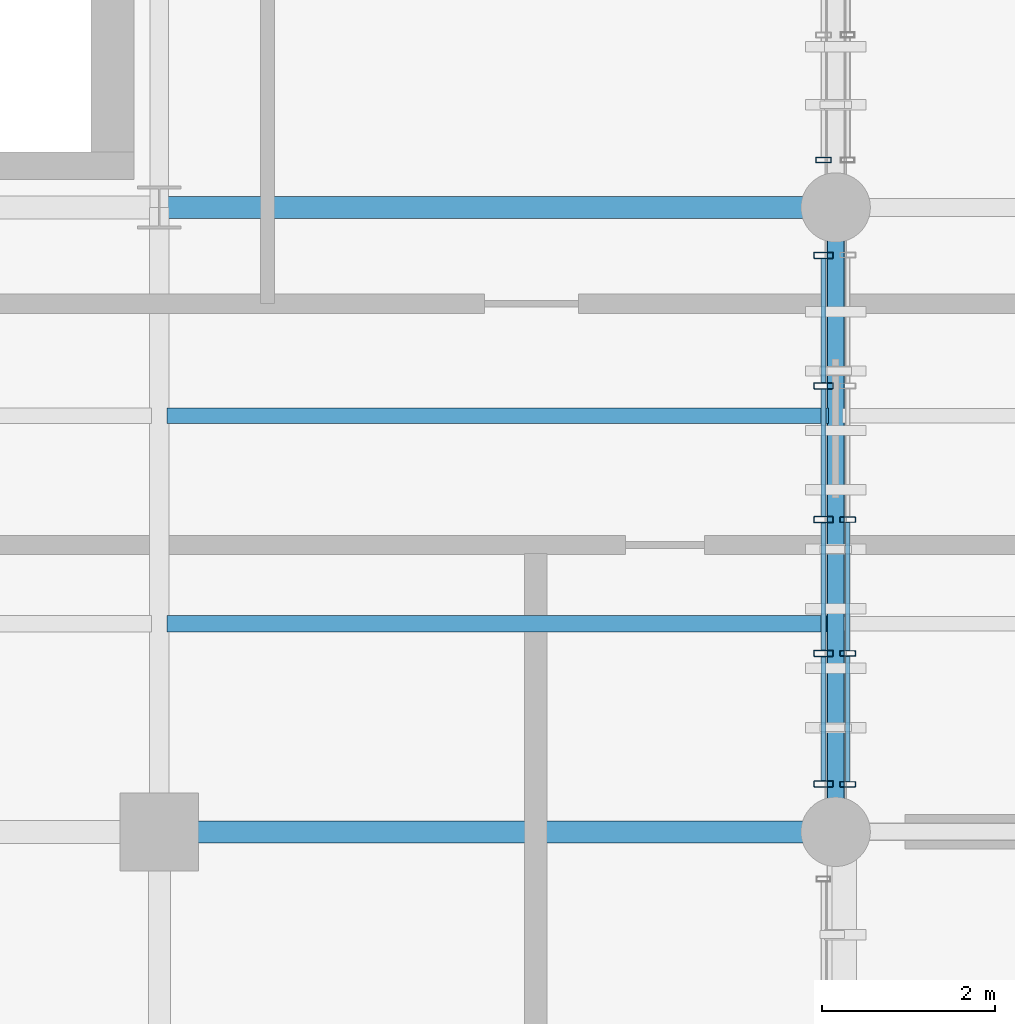
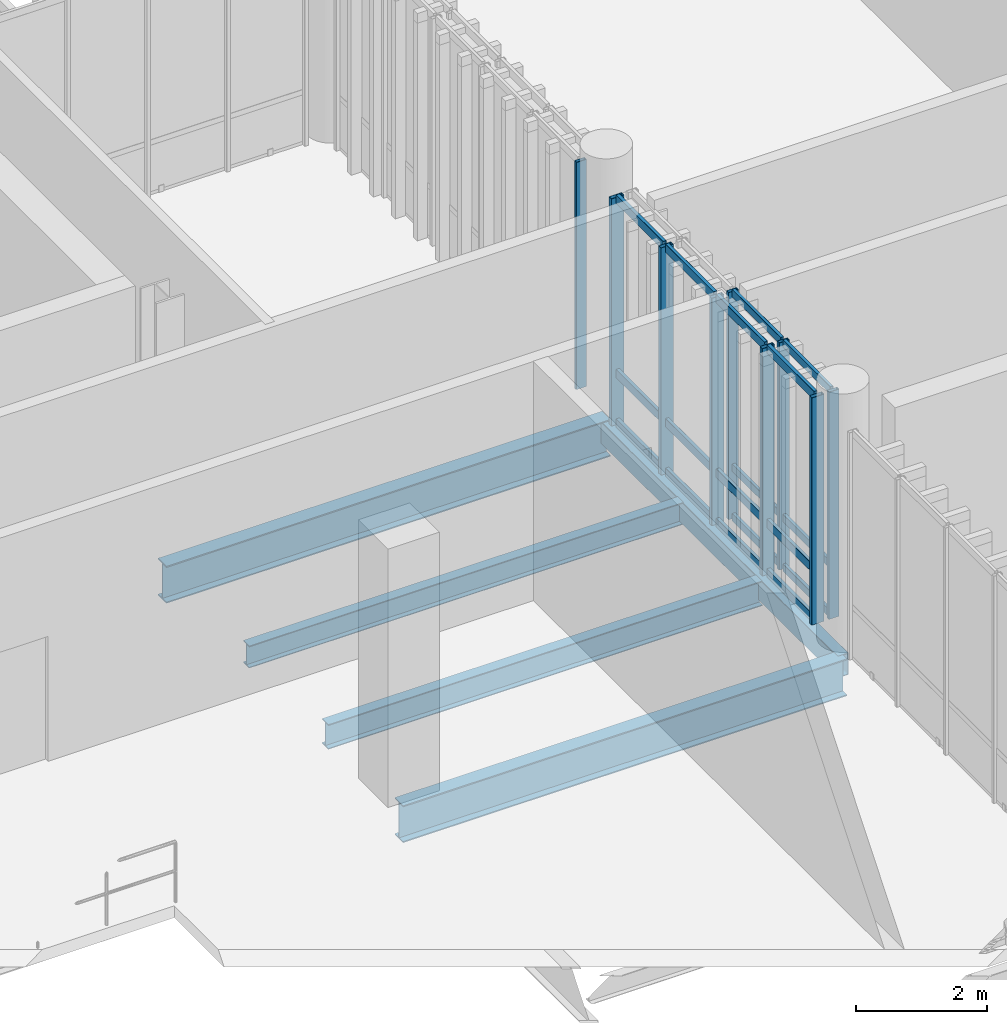
# One storey, part 34 of 109: 27 members, 5 beams, 3 elements without a shape of their own.
"""IFC4 building model written with IfcOpenShell, lengths in metres."""

from ifc_helpers import new_model, si_unit, direction, frame, origin_with_axes, origin_2d_with_axis, place, context, subcontext, project, spatial, hollow_rectangle, i_section, extrude, material, material_profile, profile_set, type_object, element, aggregate, save


model = new_model("IFC4")

# Units and contexts
model_context = context("Model", 3, precision=1e-05, world=origin_with_axes(), true_north=direction((0.0, 1.0)))
body_context = subcontext(model_context, "Body", "Model", "MODEL_VIEW")
ifc_project = project(units=[si_unit("LENGTHUNIT", "METRE"), si_unit("AREAUNIT", "SQUARE_METRE"), si_unit("VOLUMEUNIT", "CUBIC_METRE"), si_unit("PLANEANGLEUNIT", "RADIAN"), si_unit("MASSUNIT", "GRAM", prefix="KILO"), si_unit("THERMODYNAMICTEMPERATUREUNIT", "KELVIN")], contexts=[model_context])

# Site, building, storey
site_placement = place(None, origin_with_axes())
site = spatial("IfcSite", under=ifc_project, at=site_placement, CompositionType="ELEMENT")
building_placement = place(site_placement, origin_with_axes())
building = spatial("IfcBuilding", under=site, at=building_placement, Name="Montbau Bow Law Courts", CompositionType="ELEMENT")
storey_placement = place(building_placement, frame((0.0, 0.0, 10.8), z_axis=(0.0, 0.0, 1.0), x_axis=(1.0, 0.0, 0.0)))
storey = spatial("IfcBuildingStorey", under=building, at=storey_placement, Name="L02", CompositionType="ELEMENT", Elevation=10.8)

# Beams
ifc_material_1 = material(Name="Steel CSA G40.21 Grade 350W (350 MPa)", Category="steel")
ifc_material_profile_1 = material_profile(ifc_material_1, i_section(OverallWidth=0.254, OverallDepth=0.688, WebThickness=0.0131, FlangeThickness=0.0211, at=origin_2d_with_axis()), Name="W690X152", Category="Main", Priority=0)
ifc_profile_set_1 = profile_set([ifc_material_profile_1], Name="Steel CSA G40.21 Grade 350W (350 MPa)")
beam_type_1 = type_object("IfcBeamType", Name="B-FLR-04", PredefinedType="BEAM", material=ifc_profile_set_1)
for number, where, z_axis, x_axis, name in (
    (1, (39.0, 39.0, 10.136), (1.0, 0.0, 0.0), (0.0, 1.0, 0.0), "BM-L02-S0555:bm2_0558"),
    (2, (39.0, 46.2, 10.216), (1.0, 0.0, 0.0), (0.0, 1.0, 0.0), "BM-L02-S0560:bm2_0563"),
):
    element("IfcBeam", number, at=place(None, frame(where, z_axis=z_axis, x_axis=x_axis)), inside=storey, type_object=beam_type_1, Name=name, PredefinedType="BEAM", context=body_context, shape_type="SweptSolid", body=[
        extrude(i_section(OverallWidth=0.254, OverallDepth=0.688, WebThickness=0.0131, FlangeThickness=0.0211, at=origin_2d_with_axis()), origin_with_axes(), (0.0, 0.0, 1.0), 7.8),
    ])
ifc_material_profile_2 = material_profile(ifc_material_1, i_section(OverallWidth=0.191, OverallDepth=0.46, WebThickness=0.0099, FlangeThickness=0.016, at=origin_2d_with_axis()), Name="W460X82", Category="Main", Priority=0)
ifc_profile_set_2 = profile_set([ifc_material_profile_2], Name="Steel CSA G40.21 Grade 350W (350 MPa)")
beam_type_2 = type_object("IfcBeamType", Name="B-JST-01", PredefinedType="JOIST", material=ifc_profile_set_2)
beam_1_placement = place(None, frame((39.09, 41.4, 10.25), z_axis=(1.0, 0.0, 0.0), x_axis=(0.0, 1.0, 0.0)))
element("IfcBeam", 3, at=beam_1_placement, inside=storey, type_object=beam_type_2, Name="JST-L02-S0280:jst2_0280", PredefinedType="JOIST", context=body_context, shape_type="SweptSolid", body=[
    extrude(i_section(OverallWidth=0.191, OverallDepth=0.46, WebThickness=0.0099, FlangeThickness=0.016, at=origin_2d_with_axis()), origin_with_axes(), (0.0, 0.0, 1.0), 7.63),
])
ifc_material_profile_3 = material_profile(ifc_material_1, i_section(OverallWidth=0.179, OverallDepth=0.41, WebThickness=0.0088, FlangeThickness=0.0144, at=origin_2d_with_axis()), Name="W410X67", Category="Main", Priority=0)
ifc_profile_set_3 = profile_set([ifc_material_profile_3], Name="Steel CSA G40.21 Grade 350W (350 MPa)")
beam_type_3 = type_object("IfcBeamType", Name="B-JST-02", PredefinedType="JOIST", material=ifc_profile_set_3)
beam_2_placement = place(None, frame((39.09, 43.8, 10.275), z_axis=(1.0, 0.0, 0.0), x_axis=(0.0, 1.0, 0.0)))
element("IfcBeam", 4, at=beam_2_placement, inside=storey, type_object=beam_type_3, Name="JST-L02-S0281:jst2_0281", PredefinedType="JOIST", context=body_context, shape_type="SweptSolid", body=[
    extrude(i_section(OverallWidth=0.179, OverallDepth=0.41, WebThickness=0.0088, FlangeThickness=0.0144, at=origin_2d_with_axis()), origin_with_axes(), (0.0, 0.0, 1.0), 7.63),
])
ifc_material_2 = material(Name="Steel CSA G40.21 Grade 350WT (350 MPa)", Category="steel")
ifc_material_profile_4 = material_profile(ifc_material_2, hollow_rectangle(XDim=0.203, YDim=0.406, WallThickness=0.0127, InnerFilletRadius=0.0254, OuterFilletRadius=0.0127, at=origin_2d_with_axis()), Name="HSS406X203X13", Category="Main", Priority=0)
ifc_profile_set_4 = profile_set([ifc_material_profile_4], Name="Steel CSA G40.21 Grade 350WT (350 MPa)")
beam_type_4 = type_object("IfcBeamType", Name="B-SPN-01", PredefinedType="SPANDREL", material=ifc_profile_set_4)
beam_3_placement = place(None, frame((46.8, 39.0, 10.277), z_axis=(0.0, 1.0, 0.0), x_axis=(-1.0, 0.0, 0.0)))
element("IfcBeam", 5, at=beam_3_placement, inside=storey, type_object=beam_type_4, Name="SPN-L02-S0579:bm2_0582", PredefinedType="SPANDREL", context=body_context, shape_type="SweptSolid", body=[
    extrude(hollow_rectangle(XDim=0.203, YDim=0.406, WallThickness=0.0127, InnerFilletRadius=0.0254, OuterFilletRadius=0.0127, at=origin_2d_with_axis()), origin_with_axes(), (0.0, 0.0, 1.0), 7.2),
])

# Curtain wall, members
ifc_material_3 = material(Name="Thermally Broken Extruded Aluminium AA 6063-T6", Category="aluminium")
curtain_wall_type_1 = type_object("IfcCurtainWallType", Name="CW-TRC-01", PredefinedType="NOTDEFINED", material=ifc_material_3)
curtain_wall_1_placement = place(None, frame((46.66, 39.515, 10.8), z_axis=(0.0, 0.0, 1.0), x_axis=(1.0, 0.0, 0.0)))
curtain_wall_1 = element("IfcCurtainWall", 6, at=curtain_wall_1_placement, inside=storey, type_object=curtain_wall_type_1, Name="CW-L02-048:cw_0048", PredefinedType="NOTDEFINED")
ifc_material_profile_5 = material_profile(ifc_material_3, hollow_rectangle(XDim=0.075, YDim=0.22, WallThickness=0.005, InnerFilletRadius=0.01, OuterFilletRadius=0.005, at=origin_2d_with_axis()), Name="CWM-220X75", Category="Main", Priority=0)
ifc_profile_set_5 = profile_set([ifc_material_profile_5], Name="Thermally Broken Extruded Aluminium AA 6063-T6")
member_type_1 = type_object("IfcMemberType", Name="M-MUL-01", PredefinedType="MULLION", material=ifc_profile_set_5)
member_1_placement = place(None, frame((46.66, 39.552, 10.8), z_axis=(0.0, 0.0, 1.0), x_axis=(0.0, 1.0, 0.0)))
member_1 = element("IfcMember", 7, at=member_1_placement, type_object=member_type_1, Name="CW-L02-048-M01:cw_0048_M01", PredefinedType="MULLION", context=body_context, shape_type="SweptSolid", body=[
    extrude(hollow_rectangle(XDim=0.075, YDim=0.22, WallThickness=0.005, InnerFilletRadius=0.01, OuterFilletRadius=0.005, at=origin_2d_with_axis()), origin_with_axes(), (0.0, 0.0, 1.0), 4.22),
])
member_2_placement = place(None, frame((46.66, 41.058, 10.8), z_axis=(0.0, 0.0, 1.0), x_axis=(0.0, 1.0, 0.0)))
member_2 = element("IfcMember", 8, at=member_2_placement, type_object=member_type_1, Name="CW-L02-048-M02:cw_0048_M02", PredefinedType="MULLION", context=body_context, shape_type="SweptSolid", body=[
    extrude(hollow_rectangle(XDim=0.075, YDim=0.22, WallThickness=0.005, InnerFilletRadius=0.01, OuterFilletRadius=0.005, at=origin_2d_with_axis()), origin_with_axes(), (0.0, 0.0, 1.0), 4.22),
])
member_3_placement = place(None, frame((46.66, 42.6, 10.8), z_axis=(0.0, 0.0, 1.0), x_axis=(0.0, 1.0, 0.0)))
member_3 = element("IfcMember", 9, at=member_3_placement, type_object=member_type_1, Name="CW-L02-048-M03:cw_0048_M03", PredefinedType="MULLION", context=body_context, shape_type="SweptSolid", body=[
    extrude(hollow_rectangle(XDim=0.075, YDim=0.22, WallThickness=0.005, InnerFilletRadius=0.01, OuterFilletRadius=0.005, at=origin_2d_with_axis()), origin_with_axes(), (0.0, 0.0, 1.0), 4.22),
])
member_4_placement = place(None, frame((46.66, 44.143, 10.8), z_axis=(0.0, 0.0, 1.0), x_axis=(0.0, 1.0, 0.0)))
member_4 = element("IfcMember", 10, at=member_4_placement, type_object=member_type_1, Name="CW-L02-048-M04:cw_0048_M04", PredefinedType="MULLION", context=body_context, shape_type="SweptSolid", body=[
    extrude(hollow_rectangle(XDim=0.075, YDim=0.22, WallThickness=0.005, InnerFilletRadius=0.01, OuterFilletRadius=0.005, at=origin_2d_with_axis()), origin_with_axes(), (0.0, 0.0, 1.0), 4.22),
])
member_5_placement = place(None, frame((46.66, 45.648, 10.8), z_axis=(0.0, 0.0, 1.0), x_axis=(0.0, 1.0, 0.0)))
member_5 = element("IfcMember", 11, at=member_5_placement, type_object=member_type_1, Name="CW-L02-048-M05:cw_0048_M05", PredefinedType="MULLION", context=body_context, shape_type="SweptSolid", body=[
    extrude(hollow_rectangle(XDim=0.075, YDim=0.22, WallThickness=0.005, InnerFilletRadius=0.01, OuterFilletRadius=0.005, at=origin_2d_with_axis()), origin_with_axes(), (0.0, 0.0, 1.0), 4.22),
])

# Curtain wall, member
curtain_wall_2_placement = place(None, frame((46.66, 46.715, 10.8), z_axis=(0.0, 0.0, 1.0), x_axis=(1.0, 0.0, 0.0)))
curtain_wall_2 = element("IfcCurtainWall", 12, at=curtain_wall_2_placement, inside=storey, type_object=curtain_wall_type_1, Name="CW-L02-049:cw_0049", PredefinedType="NOTDEFINED")
ifc_material_profile_6 = material_profile(ifc_material_3, hollow_rectangle(XDim=0.065, YDim=0.18, WallThickness=0.005, InnerFilletRadius=0.01, OuterFilletRadius=0.005, at=origin_2d_with_axis()), Name="CWM-180X65", Category="Main", Priority=0)
ifc_profile_set_6 = profile_set([ifc_material_profile_6], Name="Thermally Broken Extruded Aluminium AA 6063-T6")
member_type_2 = type_object("IfcMemberType", Name="M-MUL-02", PredefinedType="MULLION", material=ifc_profile_set_6)
member_6_placement = place(None, frame((46.66, 46.748, 10.8), z_axis=(0.0, 0.0, 1.0), x_axis=(0.0, 1.0, 0.0)))
member_6 = element("IfcMember", 13, at=member_6_placement, type_object=member_type_2, Name="CW-L02-049-M01:cw_0049_M01", PredefinedType="MULLION", context=body_context, shape_type="SweptSolid", body=[
    extrude(hollow_rectangle(XDim=0.065, YDim=0.18, WallThickness=0.005, InnerFilletRadius=0.01, OuterFilletRadius=0.005, at=origin_2d_with_axis()), origin_with_axes(), (0.0, 0.0, 1.0), 4.22),
])
aggregate(curtain_wall_2, [member_6])

# Curtain wall, members
curtain_wall_type_2 = type_object("IfcCurtainWallType", Name="CW-CRM-01", PredefinedType="NOTDEFINED", material=ifc_material_3)
curtain_wall_3_placement = place(None, frame((46.94, 39.515, 10.8), z_axis=(0.0, 0.0, 1.0), x_axis=(1.0, 0.0, 0.0)))
curtain_wall_3 = element("IfcCurtainWall", 14, at=curtain_wall_3_placement, inside=storey, type_object=curtain_wall_type_2, Name="CW-L02-169:cw_0169", PredefinedType="NOTDEFINED")
member_7_placement = place(None, frame((46.94, 39.548, 10.8), z_axis=(0.0, 0.0, 1.0), x_axis=(0.0, 1.0, 0.0)))
member_7 = element("IfcMember", 15, at=member_7_placement, type_object=member_type_2, Name="CW-L02-169-M01:cw_0169_M01", PredefinedType="MULLION", context=body_context, shape_type="SweptSolid", body=[
    extrude(hollow_rectangle(XDim=0.065, YDim=0.18, WallThickness=0.005, InnerFilletRadius=0.01, OuterFilletRadius=0.005, at=origin_2d_with_axis()), origin_with_axes(), (0.0, 0.0, 1.0), 4.22),
])
member_8_placement = place(None, frame((46.94, 41.058, 10.8), z_axis=(0.0, 0.0, 1.0), x_axis=(0.0, 1.0, 0.0)))
member_8 = element("IfcMember", 16, at=member_8_placement, type_object=member_type_2, Name="CW-L02-169-M02:cw_0169_M02", PredefinedType="MULLION", context=body_context, shape_type="SweptSolid", body=[
    extrude(hollow_rectangle(XDim=0.065, YDim=0.18, WallThickness=0.005, InnerFilletRadius=0.01, OuterFilletRadius=0.005, at=origin_2d_with_axis()), origin_with_axes(), (0.0, 0.0, 1.0), 4.22),
])
member_9_placement = place(None, frame((46.94, 42.6, 10.8), z_axis=(0.0, 0.0, 1.0), x_axis=(0.0, 1.0, 0.0)))
member_9 = element("IfcMember", 17, at=member_9_placement, type_object=member_type_2, Name="CW-L02-169-M03:cw_0169_M03", PredefinedType="MULLION", context=body_context, shape_type="SweptSolid", body=[
    extrude(hollow_rectangle(XDim=0.065, YDim=0.18, WallThickness=0.005, InnerFilletRadius=0.01, OuterFilletRadius=0.005, at=origin_2d_with_axis()), origin_with_axes(), (0.0, 0.0, 1.0), 4.22),
])

# Member
ifc_material_profile_7 = material_profile(ifc_material_3, hollow_rectangle(XDim=0.06, YDim=0.16, WallThickness=0.004, InnerFilletRadius=0.008, OuterFilletRadius=0.004, at=origin_2d_with_axis()), Name="CWT-160X60", Category="Main", Priority=0)
ifc_profile_set_7 = profile_set([ifc_material_profile_7], Name="Thermally Broken Extruded Aluminium AA 6063-T6")
member_type_3 = type_object("IfcMemberType", Name="M-TRN-01", PredefinedType="USERDEFINED", material=ifc_profile_set_7)
member_10_placement = place(None, frame((46.66, 39.591, 10.83), z_axis=(0.0, 1.0, 0.0), x_axis=(-1.0, 0.0, 0.0)))
member_10 = element("IfcMember", 18, at=member_10_placement, type_object=member_type_3, Name="CW-L02-048-T01-1:cw_0048_T01_1", ObjectType="TRANSOM", PredefinedType="USERDEFINED", context=body_context, shape_type="SweptSolid", body=[
    extrude(hollow_rectangle(XDim=0.06, YDim=0.16, WallThickness=0.004, InnerFilletRadius=0.008, OuterFilletRadius=0.004, at=origin_2d_with_axis()), origin_with_axes(), (0.0, 0.0, 1.0), 1.427),
])

member_11_placement = place(None, frame((46.66, 39.591, 11.75), z_axis=(0.0, 1.0, 0.0), x_axis=(-1.0, 0.0, 0.0)))
member_11 = element("IfcMember", 19, at=member_11_placement, type_object=member_type_3, Name="CW-L02-048-T01-2:cw_0048_T01_2", ObjectType="TRANSOM", PredefinedType="USERDEFINED", context=body_context, shape_type="SweptSolid", body=[
    extrude(hollow_rectangle(XDim=0.06, YDim=0.16, WallThickness=0.004, InnerFilletRadius=0.008, OuterFilletRadius=0.004, at=origin_2d_with_axis()), origin_with_axes(), (0.0, 0.0, 1.0), 1.427),
])

member_12_placement = place(None, frame((46.66, 39.591, 14.99), z_axis=(0.0, 1.0, 0.0), x_axis=(-1.0, 0.0, 0.0)))
member_12 = element("IfcMember", 20, at=member_12_placement, type_object=member_type_3, Name="CW-L02-048-T01-3:cw_0048_T01_3", ObjectType="TRANSOM", PredefinedType="USERDEFINED", context=body_context, shape_type="SweptSolid", body=[
    extrude(hollow_rectangle(XDim=0.06, YDim=0.16, WallThickness=0.004, InnerFilletRadius=0.008, OuterFilletRadius=0.004, at=origin_2d_with_axis()), origin_with_axes(), (0.0, 0.0, 1.0), 1.427),
])

member_13_placement = place(None, frame((46.66, 41.098, 10.83), z_axis=(0.0, 1.0, 0.0), x_axis=(-1.0, 0.0, 0.0)))
member_13 = element("IfcMember", 21, at=member_13_placement, type_object=member_type_3, Name="CW-L02-048-T02-1:cw_0048_T02_1", ObjectType="TRANSOM", PredefinedType="USERDEFINED", context=body_context, shape_type="SweptSolid", body=[
    extrude(hollow_rectangle(XDim=0.06, YDim=0.16, WallThickness=0.004, InnerFilletRadius=0.008, OuterFilletRadius=0.004, at=origin_2d_with_axis()), origin_with_axes(), (0.0, 0.0, 1.0), 1.463),
])

member_14_placement = place(None, frame((46.66, 41.098, 11.75), z_axis=(0.0, 1.0, 0.0), x_axis=(-1.0, 0.0, 0.0)))
member_14 = element("IfcMember", 22, at=member_14_placement, type_object=member_type_3, Name="CW-L02-048-T02-2:cw_0048_T02_2", ObjectType="TRANSOM", PredefinedType="USERDEFINED", context=body_context, shape_type="SweptSolid", body=[
    extrude(hollow_rectangle(XDim=0.06, YDim=0.16, WallThickness=0.004, InnerFilletRadius=0.008, OuterFilletRadius=0.004, at=origin_2d_with_axis()), origin_with_axes(), (0.0, 0.0, 1.0), 1.463),
])

member_15_placement = place(None, frame((46.66, 41.098, 14.99), z_axis=(0.0, 1.0, 0.0), x_axis=(-1.0, 0.0, 0.0)))
member_15 = element("IfcMember", 23, at=member_15_placement, type_object=member_type_3, Name="CW-L02-048-T02-3:cw_0048_T02_3", ObjectType="TRANSOM", PredefinedType="USERDEFINED", context=body_context, shape_type="SweptSolid", body=[
    extrude(hollow_rectangle(XDim=0.06, YDim=0.16, WallThickness=0.004, InnerFilletRadius=0.008, OuterFilletRadius=0.004, at=origin_2d_with_axis()), origin_with_axes(), (0.0, 0.0, 1.0), 1.463),
])

member_16_placement = place(None, frame((46.66, 42.639, 10.83), z_axis=(0.0, 1.0, 0.0), x_axis=(-1.0, 0.0, 0.0)))
member_16 = element("IfcMember", 24, at=member_16_placement, type_object=member_type_3, Name="CW-L02-048-T03-1:cw_0048_T03_1", ObjectType="TRANSOM", PredefinedType="USERDEFINED", context=body_context, shape_type="SweptSolid", body=[
    extrude(hollow_rectangle(XDim=0.06, YDim=0.16, WallThickness=0.004, InnerFilletRadius=0.008, OuterFilletRadius=0.004, at=origin_2d_with_axis()), origin_with_axes(), (0.0, 0.0, 1.0), 1.465),
])

member_17_placement = place(None, frame((46.66, 42.639, 11.75), z_axis=(0.0, 1.0, 0.0), x_axis=(-1.0, 0.0, 0.0)))
member_17 = element("IfcMember", 25, at=member_17_placement, type_object=member_type_3, Name="CW-L02-048-T03-2:cw_0048_T03_2", ObjectType="TRANSOM", PredefinedType="USERDEFINED", context=body_context, shape_type="SweptSolid", body=[
    extrude(hollow_rectangle(XDim=0.06, YDim=0.16, WallThickness=0.004, InnerFilletRadius=0.008, OuterFilletRadius=0.004, at=origin_2d_with_axis()), origin_with_axes(), (0.0, 0.0, 1.0), 1.465),
])

member_18_placement = place(None, frame((46.66, 42.639, 14.99), z_axis=(0.0, 1.0, 0.0), x_axis=(-1.0, 0.0, 0.0)))
member_18 = element("IfcMember", 26, at=member_18_placement, type_object=member_type_3, Name="CW-L02-048-T03-3:cw_0048_T03_3", ObjectType="TRANSOM", PredefinedType="USERDEFINED", context=body_context, shape_type="SweptSolid", body=[
    extrude(hollow_rectangle(XDim=0.06, YDim=0.16, WallThickness=0.004, InnerFilletRadius=0.008, OuterFilletRadius=0.004, at=origin_2d_with_axis()), origin_with_axes(), (0.0, 0.0, 1.0), 1.465),
])

member_19_placement = place(None, frame((46.66, 44.182, 10.83), z_axis=(0.0, 1.0, 0.0), x_axis=(-1.0, 0.0, 0.0)))
member_19 = element("IfcMember", 27, at=member_19_placement, type_object=member_type_3, Name="CW-L02-048-T04-1:cw_0048_T04_1", ObjectType="TRANSOM", PredefinedType="USERDEFINED", context=body_context, shape_type="SweptSolid", body=[
    extrude(hollow_rectangle(XDim=0.06, YDim=0.16, WallThickness=0.004, InnerFilletRadius=0.008, OuterFilletRadius=0.004, at=origin_2d_with_axis()), origin_with_axes(), (0.0, 0.0, 1.0), 1.427),
])

member_20_placement = place(None, frame((46.66, 44.182, 11.75), z_axis=(0.0, 1.0, 0.0), x_axis=(-1.0, 0.0, 0.0)))
member_20 = element("IfcMember", 28, at=member_20_placement, type_object=member_type_3, Name="CW-L02-048-T04-2:cw_0048_T04_2", ObjectType="TRANSOM", PredefinedType="USERDEFINED", context=body_context, shape_type="SweptSolid", body=[
    extrude(hollow_rectangle(XDim=0.06, YDim=0.16, WallThickness=0.004, InnerFilletRadius=0.008, OuterFilletRadius=0.004, at=origin_2d_with_axis()), origin_with_axes(), (0.0, 0.0, 1.0), 1.427),
])

member_21_placement = place(None, frame((46.66, 44.182, 14.99), z_axis=(0.0, 1.0, 0.0), x_axis=(-1.0, 0.0, 0.0)))
member_21 = element("IfcMember", 29, at=member_21_placement, type_object=member_type_3, Name="CW-L02-048-T04-3:cw_0048_T04_3", ObjectType="TRANSOM", PredefinedType="USERDEFINED", context=body_context, shape_type="SweptSolid", body=[
    extrude(hollow_rectangle(XDim=0.06, YDim=0.16, WallThickness=0.004, InnerFilletRadius=0.008, OuterFilletRadius=0.004, at=origin_2d_with_axis()), origin_with_axes(), (0.0, 0.0, 1.0), 1.427),
])

aggregate(curtain_wall_1, [member_1, member_2, member_3, member_4, member_5, member_10, member_11, member_12, member_13, member_14, member_15, member_16, member_17, member_18, member_19, member_20, member_21])

ifc_material_profile_8 = material_profile(ifc_material_3, hollow_rectangle(XDim=0.055, YDim=0.14, WallThickness=0.004, InnerFilletRadius=0.008, OuterFilletRadius=0.004, at=origin_2d_with_axis()), Name="CWT-140X55", Category="Main", Priority=0)
ifc_profile_set_8 = profile_set([ifc_material_profile_8], Name="Thermally Broken Extruded Aluminium AA 6063-T6")
member_type_4 = type_object("IfcMemberType", Name="M-TRN-02", PredefinedType="USERDEFINED", material=ifc_profile_set_8)
member_22_placement = place(None, frame((46.94, 39.583, 10.828), z_axis=(0.0, 1.0, 0.0), x_axis=(-1.0, 0.0, 0.0)))
member_22 = element("IfcMember", 30, at=member_22_placement, type_object=member_type_4, Name="CW-L02-169-T01-1:cw_0169_T01_1", ObjectType="TRANSOM", PredefinedType="USERDEFINED", context=body_context, shape_type="SweptSolid", body=[
    extrude(hollow_rectangle(XDim=0.055, YDim=0.14, WallThickness=0.004, InnerFilletRadius=0.008, OuterFilletRadius=0.004, at=origin_2d_with_axis()), origin_with_axes(), (0.0, 0.0, 1.0), 1.44),
])

member_23_placement = place(None, frame((46.94, 39.583, 11.75), z_axis=(0.0, 1.0, 0.0), x_axis=(-1.0, 0.0, 0.0)))
member_23 = element("IfcMember", 31, at=member_23_placement, type_object=member_type_4, Name="CW-L02-169-T01-2:cw_0169_T01_2", ObjectType="TRANSOM", PredefinedType="USERDEFINED", context=body_context, shape_type="SweptSolid", body=[
    extrude(hollow_rectangle(XDim=0.055, YDim=0.14, WallThickness=0.004, InnerFilletRadius=0.008, OuterFilletRadius=0.004, at=origin_2d_with_axis()), origin_with_axes(), (0.0, 0.0, 1.0), 1.44),
])

member_24_placement = place(None, frame((46.94, 39.583, 14.992), z_axis=(0.0, 1.0, 0.0), x_axis=(-1.0, 0.0, 0.0)))
member_24 = element("IfcMember", 32, at=member_24_placement, type_object=member_type_4, Name="CW-L02-169-T01-3:cw_0169_T01_3", ObjectType="TRANSOM", PredefinedType="USERDEFINED", context=body_context, shape_type="SweptSolid", body=[
    extrude(hollow_rectangle(XDim=0.055, YDim=0.14, WallThickness=0.004, InnerFilletRadius=0.008, OuterFilletRadius=0.004, at=origin_2d_with_axis()), origin_with_axes(), (0.0, 0.0, 1.0), 1.44),
])

member_25_placement = place(None, frame((46.94, 41.092, 10.828), z_axis=(0.0, 1.0, 0.0), x_axis=(-1.0, 0.0, 0.0)))
member_25 = element("IfcMember", 33, at=member_25_placement, type_object=member_type_4, Name="CW-L02-169-T02-1:cw_0169_T02_1", ObjectType="TRANSOM", PredefinedType="USERDEFINED", context=body_context, shape_type="SweptSolid", body=[
    extrude(hollow_rectangle(XDim=0.055, YDim=0.14, WallThickness=0.004, InnerFilletRadius=0.008, OuterFilletRadius=0.004, at=origin_2d_with_axis()), origin_with_axes(), (0.0, 0.0, 1.0), 1.473),
])

member_26_placement = place(None, frame((46.94, 41.092, 11.75), z_axis=(0.0, 1.0, 0.0), x_axis=(-1.0, 0.0, 0.0)))
member_26 = element("IfcMember", 34, at=member_26_placement, type_object=member_type_4, Name="CW-L02-169-T02-2:cw_0169_T02_2", ObjectType="TRANSOM", PredefinedType="USERDEFINED", context=body_context, shape_type="SweptSolid", body=[
    extrude(hollow_rectangle(XDim=0.055, YDim=0.14, WallThickness=0.004, InnerFilletRadius=0.008, OuterFilletRadius=0.004, at=origin_2d_with_axis()), origin_with_axes(), (0.0, 0.0, 1.0), 1.473),
])

member_27_placement = place(None, frame((46.94, 41.092, 14.992), z_axis=(0.0, 1.0, 0.0), x_axis=(-1.0, 0.0, 0.0)))
member_27 = element("IfcMember", 35, at=member_27_placement, type_object=member_type_4, Name="CW-L02-169-T02-3:cw_0169_T02_3", ObjectType="TRANSOM", PredefinedType="USERDEFINED", context=body_context, shape_type="SweptSolid", body=[
    extrude(hollow_rectangle(XDim=0.055, YDim=0.14, WallThickness=0.004, InnerFilletRadius=0.008, OuterFilletRadius=0.004, at=origin_2d_with_axis()), origin_with_axes(), (0.0, 0.0, 1.0), 1.473),
])

aggregate(curtain_wall_3, [member_7, member_8, member_9, member_22, member_23, member_24, member_25, member_26, member_27])

save(model, "model.ifc")
